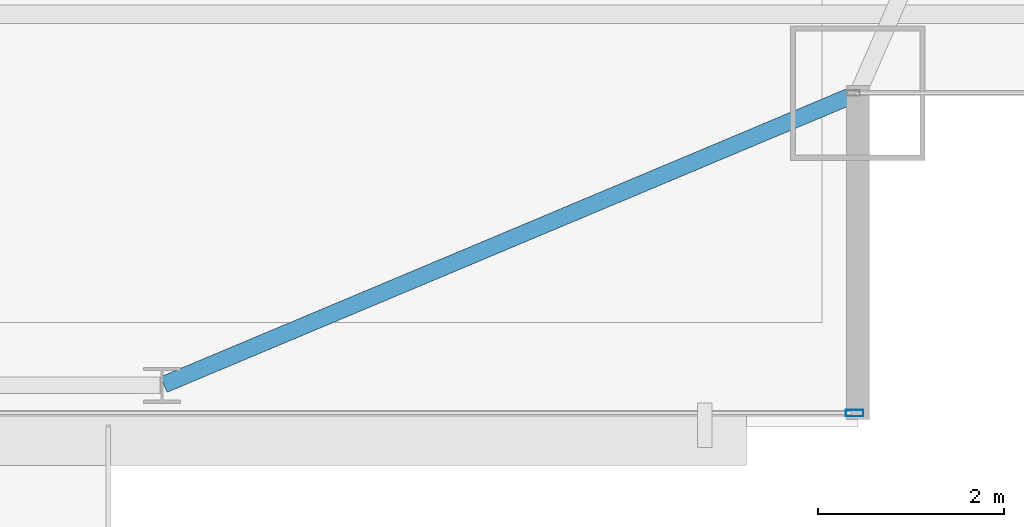
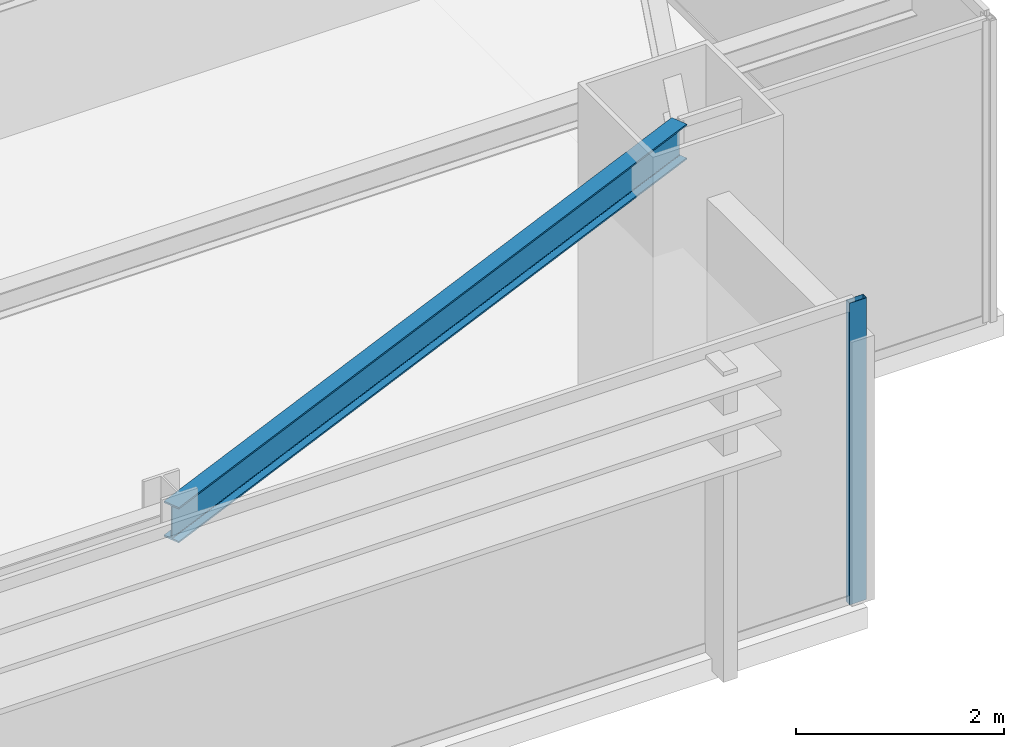
# One storey, part 15 of 37: 1 beam, 1 member, 1 element without a shape of its own.
"""IFC4 building model written with IfcOpenShell, lengths in metres."""

from ifc_helpers import new_model, si_unit, direction, frame, origin, origin_2d, place, context, subcontext, project, spatial, hollow_rectangle, i_section, extrude, source, transform, mapped, material, layer, layer_set, material_profile, profile_set, type_object, type_shapes, element, aggregate, save


model = new_model("IFC4")

# Units and contexts
model_context = context("Model", 3, precision=1e-05, world=origin(), true_north=direction((0.0, 1.0)))
body_context = subcontext(model_context, "Body", "Model", "MODEL_VIEW")
ifc_project = project(units=[si_unit("LENGTHUNIT", "METRE"), si_unit("AREAUNIT", "SQUARE_METRE"), si_unit("VOLUMEUNIT", "CUBIC_METRE"), si_unit("PLANEANGLEUNIT", "RADIAN"), si_unit("MASSUNIT", "GRAM", prefix="KILO")], contexts=[model_context])

# Site, building, storey
site_placement = place(None, origin())
site = spatial("IfcSite", under=ifc_project, at=site_placement, CompositionType="ELEMENT")
building_placement = place(site_placement, origin())
building = spatial("IfcBuilding", under=site, at=building_placement, Name="Varnel Quay Broadcast Tower", CompositionType="ELEMENT")
storey_placement = place(building_placement, frame((0.0, 0.0, 103.0)))
storey = spatial("IfcBuildingStorey", under=building, at=storey_placement, Name="L24", CompositionType="ELEMENT", Elevation=103.0)

# Beam
ifc_material_1 = material(Name="Structural Steel CSA G40.21 350W", Category="steel")
ifc_material_profile_1 = material_profile(ifc_material_1, i_section(OverallWidth=0.180908203125, OverallDepth=0.4169921875, WebThickness=0.010986328125, FlangeThickness=0.018310546875, FilletRadius=0.011962890625, at=origin_2d()), Name="W410X85")
ifc_profile_set_1 = profile_set([ifc_material_profile_1], Name="Structural Steel CSA G40.21 350W")
beam_type = type_object("IfcBeamType", Name="Beam_W410X85", PredefinedType="SPANDREL", material=ifc_profile_set_1)
shared_shape_1 = source(origin(), body_context, "Body", "SweptSolid", [
    extrude(i_section(OverallWidth=0.180908203125, OverallDepth=0.4169921875, WebThickness=0.010986328125, FlangeThickness=0.018310546875, FilletRadius=0.011962890625, at=origin_2d()), origin(), (0.0, 0.0, 1.0), 8.0947265625),
])
type_shapes(beam_type, [shared_shape_1])
beam_placement = place(storey_placement, frame((52.41845703125, 4.65771484375, 3.341552734375), z_axis=(0.921981890247, 0.387232997117, 0.0), x_axis=(-0.387232997117, 0.921981890247, 0.0)))
element("IfcBeam", 1, at=beam_placement, inside=storey, type_object=beam_type, Name="L24 South Spandrel TC-S5-MC-SE", PredefinedType="SPANDREL", context=body_context, shape_type="MappedRepresentation", body=[
    mapped(shared_shape_1, transform((0.0, 0.0, 0.0), x_axis=(1.0, 0.0, 0.0), y_axis=(0.0, 1.0, 0.0), z_axis=(0.0, 0.0, 1.0), scale=1.0)),
])

# Curtain wall, member
ifc_material_2 = material(Name="Anodised Bronze Aluminium 6063-T6", Category="aluminium")
ifc_layer = layer(ifc_material_2, 0.18994140625, Name="Anodised Bronze Aluminium 6063-T6")
ifc_layer_set = layer_set([ifc_layer], Name="Anodised Bronze Aluminium 6063-T6")
curtain_wall_type = type_object("IfcCurtainWallType", Name="CW_LowerTower", PredefinedType="NOTDEFINED", material=ifc_layer_set)
curtain_wall_placement = place(storey_placement, origin())
curtain_wall = element("IfcCurtainWall", 2, at=curtain_wall_placement, inside=storey, type_object=curtain_wall_type, Name="L24 South Unitised Curtain Wall 3", PredefinedType="NOTDEFINED")
ifc_material_profile_2 = material_profile(ifc_material_2, hollow_rectangle(XDim=0.070068359375, YDim=0.18994140625, WallThickness=0.00390625, at=origin_2d()), Name="ALU70X190X4")
ifc_profile_set_2 = profile_set([ifc_material_profile_2], Name="Anodised Bronze Aluminium 6063-T6")
member_type = type_object("IfcMemberType", Name="Mull_CWS-02", PredefinedType="MULLION", material=ifc_profile_set_2)
shared_shape_2 = source(origin(), body_context, "Body", "SweptSolid", [
    extrude(hollow_rectangle(XDim=0.070068359375, YDim=0.18994140625, WallThickness=0.00390625, at=origin_2d()), origin(), (0.0, 0.0, 1.0), 3.550048828125),
])
type_shapes(member_type, [shared_shape_2])
member_placement = place(storey_placement, frame((59.864990234375, 4.35009765625, 0.0), z_axis=(0.0, 0.0, 1.0), x_axis=(0.0, 1.0, 0.0)))
member = element("IfcMember", 3, at=member_placement, type_object=member_type, Name="CWS-02 mullion 2", PredefinedType="MULLION", context=body_context, shape_type="MappedRepresentation", body=[
    mapped(shared_shape_2, transform((0.0, 0.0, 0.0), x_axis=(1.0, 0.0, 0.0), y_axis=(0.0, 1.0, 0.0), z_axis=(0.0, 0.0, 1.0), scale=1.0)),
])
aggregate(curtain_wall, [member])

save(model, "model.ifc")
